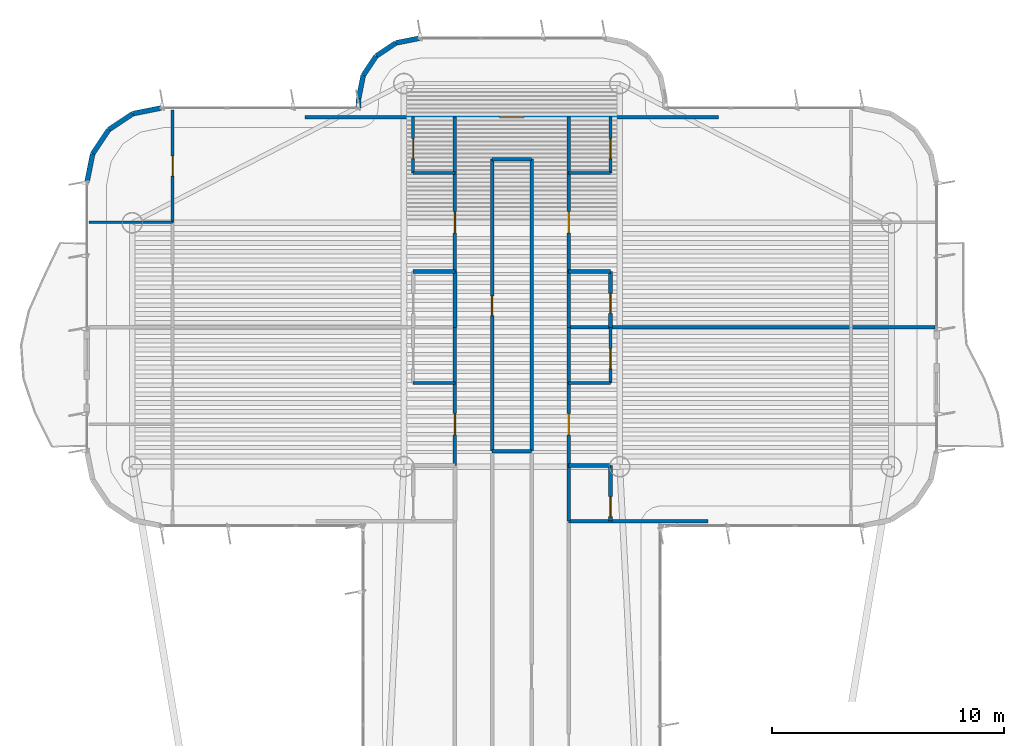
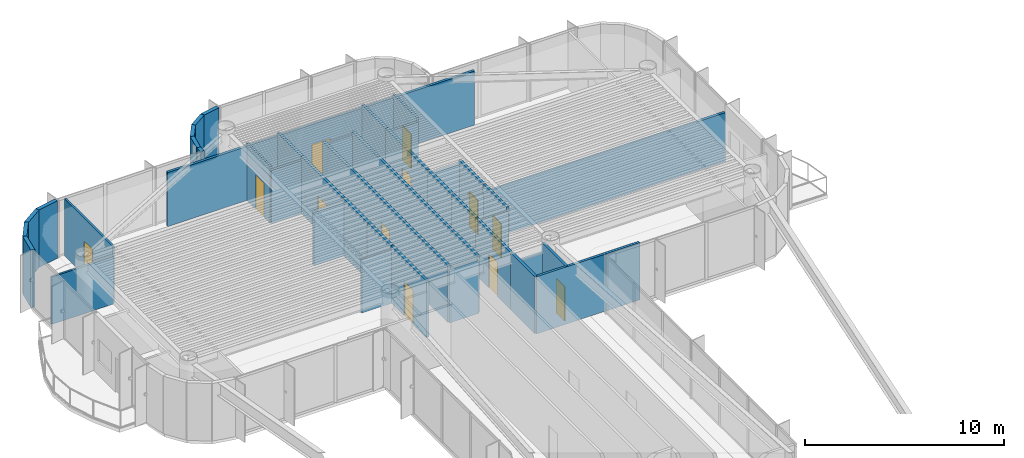
# One storey, part 12 of 16: 41 walls, 12 doors, 12 openings.
"""IFC4 building model written with IfcOpenShell, lengths in metres."""

from ifc_helpers import new_model, si_unit, direction, frame, frame_2d, origin, origin_2d, place, context, subcontext, project, spatial, rectangle, extrude, source, transform, mapped, material, layer, layer_set, type_object, element, fill, save


model = new_model("IFC4")

# Units and contexts
model_context = context("Model", 3, precision=1e-05, world=origin(), true_north=direction((0.0, 1.0)))
body_context = subcontext(model_context, "Body", "Model", "MODEL_VIEW")
ifc_project = project(units=[si_unit("LENGTHUNIT", "METRE"), si_unit("AREAUNIT", "SQUARE_METRE"), si_unit("VOLUMEUNIT", "CUBIC_METRE"), si_unit("PLANEANGLEUNIT", "RADIAN"), si_unit("MASSUNIT", "GRAM", prefix="KILO")], contexts=[model_context])

# Site, building, storey
site_placement = place(None, origin())
site = spatial("IfcSite", under=ifc_project, at=site_placement, CompositionType="ELEMENT")
building_placement = place(site_placement, origin())
building = spatial("IfcBuilding", under=site, at=building_placement, Name="Brelvock Crest Care Tower", CompositionType="ELEMENT")
storey_placement = place(building_placement, frame((0.0, 0.0, 226.800048828125)))
storey = spatial("IfcBuildingStorey", under=building, at=storey_placement, Name="L57", CompositionType="ELEMENT", Elevation=226.800048828125)

# Walls
ifc_material_1 = material(Name="Precast concrete N40 (40 MPa)", Category="concrete")
ifc_layer_1 = layer(ifc_material_1, 0.215087890625, Name="WL-EX2")
ifc_layer_set_1 = layer_set([ifc_layer_1], Name="Precast concrete N40 (40 MPa)")
wall_type_1 = type_object("IfcWallType", Name="WL-EX2", PredefinedType="SOLIDWALL", material=ifc_layer_set_1)
for number, where, z_axis, x_axis, name in (
    (1, (17.699951171875, 56.199951171875, 0.0), (0.0, 0.0, 1.0), (0.195138390419, 0.980775717779, 0.0), "L57 Rounded Corner Wall 18"),
    (2, (17.943603515625, 57.424560546875, 0.0), (0.0, 0.0, 1.0), (0.555557312883, 0.831478245117, 0.0), "L57 Rounded Corner Wall 19"),
    (3, (18.63720703125, 58.462646484375, 0.0), (0.0, 0.0, 1.0), (0.831387912822, 0.555692485475, 0.0), "L57 Rounded Corner Wall 20"),
    (4, (19.67529296875, 59.156494140625, 0.0), (0.0, 0.0, 1.0), (0.980813122964, 0.194950295773, 0.0), "L57 Rounded Corner Wall 21"),
):
    element("IfcWall", number, at=place(storey_placement, frame(where, z_axis=z_axis, x_axis=x_axis)), inside=storey, type_object=wall_type_1, Name=name, PredefinedType="SOLIDWALL", context=body_context, shape_type="SweptSolid", body=[
        extrude(rectangle(XDim=1.24853515625, YDim=0.215087890625, at=frame_2d((0.624267578125, 0.0))), origin(), (0.0, 0.0, 1.0), 3.530029296875),
    ])
wall_1_placement = place(storey_placement, frame((29.39990234375, 59.39990234375, 0.0), z_axis=(0.0, 0.0, 1.0), x_axis=(0.0, 1.0, 0.0)))
element("IfcWall", 5, at=wall_1_placement, inside=storey, type_object=wall_type_1, Name="L57 Rounded Corner Wall 23", PredefinedType="SOLIDWALL", context=body_context, shape_type="SweptSolid", body=[
    extrude(rectangle(XDim=0.400146484375, YDim=0.215087890625, at=frame_2d((0.2001953125, 0.0))), origin(), (0.0, 0.0, 1.0), 3.530029296875),
])
wall_2_placement = place(storey_placement, frame((29.39990234375, 59.800048828125, 0.0), z_axis=(0.0, 0.0, 1.0), x_axis=(0.195190360752, 0.980765376158, 0.0)))
element("IfcWall", 6, at=wall_2_placement, inside=storey, type_object=wall_type_1, Name="L57 Rounded Corner Wall 24", PredefinedType="SOLIDWALL", context=body_context, shape_type="SweptSolid", body=[
    extrude(rectangle(XDim=1.014404296875, YDim=0.215087890625, at=frame_2d((0.50732421875, 0.0))), origin(), (0.0, 0.0, 1.0), 3.530029296875),
])
wall_3_placement = place(storey_placement, frame((29.597900390625, 60.794921875, 0.0), z_axis=(0.0, 0.0, 1.0), x_axis=(0.555643898837, 0.831420385657, 0.0)))
element("IfcWall", 7, at=wall_3_placement, inside=storey, type_object=wall_type_1, Name="L57 Rounded Corner Wall 25", PredefinedType="SOLIDWALL", context=body_context, shape_type="SweptSolid", body=[
    extrude(rectangle(XDim=1.0146484375, YDim=0.215087890625, at=frame_2d((0.50732421875, 0.0))), origin(), (0.0, 0.0, 1.0), 3.530029296875),
])
wall_4_placement = place(storey_placement, frame((30.16162109375, 61.638427734375, 0.0), z_axis=(0.0, 0.0, 1.0), x_axis=(0.831346067305, 0.555755086685, 0.0)))
element("IfcWall", 8, at=wall_4_placement, inside=storey, type_object=wall_type_1, Name="L57 Rounded Corner Wall 26", PredefinedType="SOLIDWALL", context=body_context, shape_type="SweptSolid", body=[
    extrude(rectangle(XDim=1.014404296875, YDim=0.215087890625, at=frame_2d((0.50732421875, 0.0))), origin(), (0.0, 0.0, 1.0), 3.530029296875),
])
wall_5_placement = place(storey_placement, frame((31.0048828125, 62.2021484375, 0.0), z_axis=(0.0, 0.0, 1.0), x_axis=(0.980820570666, 0.194912821943, 0.0)))
element("IfcWall", 9, at=wall_5_placement, inside=storey, type_object=wall_type_1, Name="L57 Rounded Corner Wall 27", PredefinedType="SOLIDWALL", context=body_context, shape_type="SweptSolid", body=[
    extrude(rectangle(XDim=1.0146484375, YDim=0.215087890625, at=frame_2d((0.50732421875, 0.0))), origin(), (0.0, 0.0, 1.0), 3.530029296875),
])
ifc_material_2 = material(Name="Masonry Blockwork Acoustic Partition", Category="masonry")
ifc_layer_2 = layer(ifc_material_2, 0.14990234375, Name="WL-INT1")
ifc_layer_set_2 = layer_set([ifc_layer_2], Name="Masonry Blockwork Acoustic Partition")
wall_type_2 = type_object("IfcWallType", Name="WL-INT1", PredefinedType="PARTITIONING", material=ifc_layer_set_2)
wall_6_placement = place(storey_placement, frame((38.449951171875, 41.60009765625, 0.0), z_axis=(0.0, 0.0, 1.0), x_axis=(1.0, 0.0, 0.0)))
element("IfcWall", 10, at=wall_6_placement, inside=storey, type_object=wall_type_2, Name="L57 Interior Wall WL-BX-L57-FL-EF1-S", PredefinedType="PARTITIONING", context=body_context, shape_type="SweptSolid", body=[
    extrude(rectangle(XDim=5.993408203125, YDim=0.14990234375, at=frame_2d((2.99658203125, 0.0))), origin(), (0.0, 0.0, 1.0), 3.5),
])
wall_7_placement = place(storey_placement, frame((35.14990234375, 44.6201171875, 0.0), z_axis=(0.0, 0.0, 1.0), x_axis=(1.0, 0.0, 0.0)))
element("IfcWall", 11, at=wall_7_placement, inside=storey, type_object=wall_type_2, Name="L57 Interior Wall WL-BX-L57-ISKT-S", PredefinedType="PARTITIONING", context=body_context, shape_type="SweptSolid", body=[
    extrude(rectangle(XDim=1.7001953125, YDim=0.14990234375, at=frame_2d((0.85009765625, 0.0))), origin(), (0.0, 0.0, 1.0), 3.259033203125),
])
wall_8_placement = place(storey_placement, frame((38.449951171875, 49.951904296875, 0.0), z_axis=(0.0, 0.0, 1.0), x_axis=(1.0, 0.0, 0.0)))
element("IfcWall", 12, at=wall_8_placement, inside=storey, type_object=wall_type_2, Name="L57 Interior Wall WL-BX-L57-FL-EF1-N", PredefinedType="PARTITIONING", context=body_context, shape_type="SweptSolid", body=[
    extrude(rectangle(XDim=15.77001953125, YDim=0.14990234375, at=frame_2d((7.885009765625, 0.0))), origin(), (0.0, 0.0, 1.0), 2.98193359375),
])
wall_9_placement = place(storey_placement, frame((35.14990234375, 57.199951171875, 0.0), z_axis=(0.0, 0.0, 1.0), x_axis=(1.0, 0.0, 0.0)))
element("IfcWall", 13, at=wall_9_placement, inside=storey, type_object=wall_type_2, Name="L57 Interior Wall WL-BX-L57-ISKT-N", PredefinedType="PARTITIONING", context=body_context, shape_type="SweptSolid", body=[
    extrude(rectangle(XDim=1.7001953125, YDim=0.14990234375, at=frame_2d((0.85009765625, 0.0))), origin(), (0.0, 0.0, 1.0), 3.307861328125),
])

# Wall, opening, door
wall_10_placement = place(storey_placement, frame((27.10009765625, 59.0, 0.0), z_axis=(0.0, 0.0, 1.0), x_axis=(1.0, 0.0, 0.0)))
wall_10 = element("IfcWall", 14, at=wall_10_placement, inside=storey, type_object=wall_type_2, Name="L57 Interior Wall WL-RM-L57-NHUB", PredefinedType="PARTITIONING", context=body_context, shape_type="SweptSolid", body=[
    extrude(rectangle(XDim=17.7998046875, YDim=0.14990234375, at=frame_2d((8.89990234375, 0.0))), origin(), (0.0, 0.0, 1.0), 3.307861328125),
])
opening_1_placement = place(wall_10_placement, frame((8.375, 0.0, 0.0)))
opening_1 = element("IfcOpeningElement", 15, at=opening_1_placement, cuts=wall_10, Name="Opening CLD-1", PredefinedType="OPENING", context=body_context, shape_type="SweptSolid", body=[
    extrude(rectangle(XDim=1.050048828125, YDim=2.10009765625, at=origin_2d()), frame((0.52490234375, 0.0849609375, 1.050048828125), z_axis=(0.0, -1.0, 0.0), x_axis=(1.0, 0.0, 0.0)), (0.0, 0.0, 1.0), 0.169921875),
])
ifc_material_3 = material(Name="Engineered Hardwood Timber", Category="wood")
door_type_1 = type_object("IfcDoorType", Name="DR-CLN1", OperationType="NOTDEFINED", PredefinedType="DOOR", material=ifc_material_3)
shared_shape_1 = source(origin(), body_context, "Body", "SweptSolid", [
    extrude(rectangle(XDim=1.050048828125, YDim=2.10009765625, at=origin_2d()), frame((0.52490234375, 0.02490234375, 1.050048828125), z_axis=(0.0, -1.0, 0.0), x_axis=(1.0, 0.0, 0.0)), (0.0, 0.0, 1.0), 0.050048828125),
])
door_1_placement = place(opening_1_placement, origin())
door_1 = element("IfcDoor", 16, at=door_1_placement, inside=storey, type_object=door_type_1, Name="L57 North Crest Conservatory Lounge Door NHUB", OperationType="SINGLE_SWING_LEFT", OverallHeight=2.10009765625, OverallWidth=1.050048828125, PredefinedType="DOOR", context=body_context, shape_type="MappedRepresentation", body=[
    mapped(shared_shape_1, transform((0.0, 0.0, 0.0), x_axis=(1.0, 0.0, 0.0), y_axis=(0.0, 1.0, 0.0), z_axis=(0.0, 0.0, 1.0), scale=1.0)),
])
fill(opening_1, door_1)

wall_11_placement = place(storey_placement, frame((33.550048828125, 44.0, 0.0), z_axis=(0.0, 0.0, 1.0), x_axis=(0.0, 1.0, 0.0)))
wall_11 = element("IfcWall", 17, at=wall_11_placement, inside=storey, type_object=wall_type_2, Name="L57 Interior Wall WL-UENT-L57-WF1", PredefinedType="PARTITIONING", context=body_context, shape_type="SweptSolid", body=[
    extrude(rectangle(XDim=3.552001953125, YDim=0.14990234375, at=frame_2d((1.77587890625, 0.0))), origin(), (0.0, 0.0, 1.0), 3.5),
])
opening_2_placement = place(wall_11_placement, frame((1.31591796875, 0.0, 0.0)))
opening_2 = element("IfcOpeningElement", 18, at=opening_2_placement, cuts=wall_11, Name="Opening AD-1", PredefinedType="OPENING", context=body_context, shape_type="SweptSolid", body=[
    extrude(rectangle(XDim=0.919921875, YDim=2.10009765625, at=origin_2d()), frame((0.4599609375, 0.0849609375, 1.050048828125), z_axis=(0.0, -1.0, 0.0), x_axis=(1.0, 0.0, 0.0)), (0.0, 0.0, 1.0), 0.169921875),
])
door_type_2 = type_object("IfcDoorType", Name="DR-APT1", OperationType="NOTDEFINED", PredefinedType="DOOR", material=ifc_material_3)
shared_shape_2 = source(origin(), body_context, "Body", "SweptSolid", [
    extrude(rectangle(XDim=0.919921875, YDim=2.10009765625, at=origin_2d()), frame((0.4599609375, 0.02490234375, 1.050048828125), z_axis=(0.0, -1.0, 0.0), x_axis=(1.0, 0.0, 0.0)), (0.0, 0.0, 1.0), 0.050048828125),
])
door_2_placement = place(opening_2_placement, origin())
door_2 = element("IfcDoor", 19, at=door_2_placement, inside=storey, type_object=door_type_2, Name="L57 Apartment Entrance WF1", OperationType="SINGLE_SWING_LEFT", OverallHeight=2.10009765625, OverallWidth=0.919921875, PredefinedType="DOOR", context=body_context, shape_type="MappedRepresentation", body=[
    mapped(shared_shape_2, transform((0.0, 0.0, 0.0), x_axis=(1.0, 0.0, 0.0), y_axis=(0.0, 1.0, 0.0), z_axis=(0.0, 0.0, 1.0), scale=1.0)),
])
fill(opening_2, door_2)

# Wall
wall_12_placement = place(storey_placement, frame((33.550048828125, 47.552001953125, 0.0), z_axis=(0.0, 0.0, 1.0), x_axis=(0.0, 1.0, 0.0)))
element("IfcWall", 20, at=wall_12_placement, inside=storey, type_object=wall_type_2, Name="L57 Interior Wall WL-UCK-L57-WF1", PredefinedType="PARTITIONING", context=body_context, shape_type="SweptSolid", body=[
    extrude(rectangle(XDim=2.39990234375, YDim=0.14990234375, at=frame_2d((1.199951171875, 0.0))), origin(), (0.0, 0.0, 1.0), 3.5),
])

# Wall, opening, door
wall_13_placement = place(storey_placement, frame((33.550048828125, 52.35205078125, 0.0), z_axis=(0.0, 0.0, 1.0), x_axis=(0.0, 1.0, 0.0)))
wall_13 = element("IfcWall", 21, at=wall_13_placement, inside=storey, type_object=wall_type_2, Name="L57 Interior Wall WL-UENT-L57-WF2", PredefinedType="PARTITIONING", context=body_context, shape_type="SweptSolid", body=[
    extrude(rectangle(XDim=4.248046875, YDim=0.14990234375, at=frame_2d((2.1240234375, 0.0))), origin(), (0.0, 0.0, 1.0), 3.5),
])
opening_3_placement = place(wall_13_placement, frame((1.6640625, 0.0, 0.0)))
opening_3 = element("IfcOpeningElement", 22, at=opening_3_placement, cuts=wall_13, Name="Opening AD-1", PredefinedType="OPENING", context=body_context, shape_type="SweptSolid", body=[
    extrude(rectangle(XDim=0.919921875, YDim=2.10009765625, at=origin_2d()), frame((0.4599609375, 0.0849609375, 1.050048828125), z_axis=(0.0, -1.0, 0.0), x_axis=(1.0, 0.0, 0.0)), (0.0, 0.0, 1.0), 0.169921875),
])
door_3_placement = place(opening_3_placement, origin())
door_3 = element("IfcDoor", 23, at=door_3_placement, inside=storey, type_object=door_type_2, Name="L57 Apartment Entrance WF2", OperationType="SINGLE_SWING_LEFT", OverallHeight=2.10009765625, OverallWidth=0.919921875, PredefinedType="DOOR", context=body_context, shape_type="MappedRepresentation", body=[
    mapped(shared_shape_2, transform((0.0, 0.0, 0.0), x_axis=(1.0, 0.0, 0.0), y_axis=(0.0, 1.0, 0.0), z_axis=(0.0, 0.0, 1.0), scale=1.0)),
])
fill(opening_3, door_3)

# Wall
wall_14_placement = place(storey_placement, frame((33.550048828125, 56.60009765625, 0.0), z_axis=(0.0, 0.0, 1.0), x_axis=(0.0, 1.0, 0.0)))
element("IfcWall", 24, at=wall_14_placement, inside=storey, type_object=wall_type_2, Name="L57 Interior Wall WL-UCK-L57-WF2", PredefinedType="PARTITIONING", context=body_context, shape_type="SweptSolid", body=[
    extrude(rectangle(XDim=2.39990234375, YDim=0.14990234375, at=frame_2d((1.199951171875, 0.0))), origin(), (0.0, 0.0, 1.0), 3.5),
])

# Wall, opening, door
wall_15_placement = place(storey_placement, frame((35.14990234375, 44.6201171875, 0.0), z_axis=(0.0, 0.0, 1.0), x_axis=(0.0, 1.0, 0.0)))
wall_15 = element("IfcWall", 25, at=wall_15_placement, inside=storey, type_object=wall_type_2, Name="L57 Interior Wall WL-RM-L57-ISKT", PredefinedType="PARTITIONING", context=body_context, shape_type="SweptSolid", body=[
    extrude(rectangle(XDim=12.579833984375, YDim=0.14990234375, at=frame_2d((6.2900390625, 0.0))), origin(), (0.0, 0.0, 1.0), 3.5),
])
opening_4_placement = place(wall_15_placement, frame((5.830078125, 0.0, 0.0)))
opening_4 = element("IfcOpeningElement", 26, at=opening_4_placement, cuts=wall_15, Name="Opening ID-1", PredefinedType="OPENING", context=body_context, shape_type="SweptSolid", body=[
    extrude(rectangle(XDim=0.860107421875, YDim=2.10009765625, at=origin_2d()), frame((0.43017578125, 0.0849609375, 1.050048828125), z_axis=(0.0, -1.0, 0.0), x_axis=(1.0, 0.0, 0.0)), (0.0, 0.0, 1.0), 0.169921875),
])
door_type_3 = type_object("IfcDoorType", Name="DR-INT1", OperationType="NOTDEFINED", PredefinedType="DOOR", material=ifc_material_3)
shared_shape_3 = source(origin(), body_context, "Body", "SweptSolid", [
    extrude(rectangle(XDim=0.860107421875, YDim=2.10009765625, at=origin_2d()), frame((0.43017578125, 0.02490234375, 1.050048828125), z_axis=(0.0, -1.0, 0.0), x_axis=(1.0, 0.0, 0.0)), (0.0, 0.0, 1.0), 0.050048828125),
])
door_4_placement = place(opening_4_placement, origin())
door_4 = element("IfcDoor", 27, at=door_4_placement, inside=storey, type_object=door_type_3, Name="L57 Communal Tea and Nutrition Pantry Door ISKT", OperationType="SINGLE_SWING_LEFT", OverallHeight=2.10009765625, OverallWidth=0.860107421875, PredefinedType="DOOR", context=body_context, shape_type="MappedRepresentation", body=[
    mapped(shared_shape_3, transform((0.0, 0.0, 0.0), x_axis=(1.0, 0.0, 0.0), y_axis=(0.0, 1.0, 0.0), z_axis=(0.0, 0.0, 1.0), scale=1.0)),
])
fill(opening_4, door_4)

# Wall
wall_16_placement = place(storey_placement, frame((36.85009765625, 44.6201171875, 0.0), z_axis=(0.0, 0.0, 1.0), x_axis=(0.0, 1.0, 0.0)))
element("IfcWall", 28, at=wall_16_placement, inside=storey, type_object=wall_type_2, Name="L57 Interior Wall WL-BX-L57-ISKT-E", PredefinedType="PARTITIONING", context=body_context, shape_type="SweptSolid", body=[
    extrude(rectangle(XDim=12.579833984375, YDim=0.14990234375, at=frame_2d((6.2900390625, 0.0))), origin(), (0.0, 0.0, 1.0), 3.5),
])

# Wall, opening, door
wall_17_placement = place(storey_placement, frame((38.449951171875, 44.0, 0.0), z_axis=(0.0, 0.0, 1.0), x_axis=(0.0, 1.0, 0.0)))
wall_17 = element("IfcWall", 29, at=wall_17_placement, inside=storey, type_object=wall_type_2, Name="L57 Interior Wall WL-UENT-L57-EF1", PredefinedType="PARTITIONING", context=body_context, shape_type="SweptSolid", body=[
    extrude(rectangle(XDim=3.552001953125, YDim=0.14990234375, at=frame_2d((1.77587890625, 0.0))), origin(), (0.0, 0.0, 1.0), 3.5),
])
opening_5_placement = place(wall_17_placement, frame((1.31591796875, 0.0, 0.0)))
opening_5 = element("IfcOpeningElement", 30, at=opening_5_placement, cuts=wall_17, Name="Opening AD-1", PredefinedType="OPENING", context=body_context, shape_type="SweptSolid", body=[
    extrude(rectangle(XDim=0.919921875, YDim=2.10009765625, at=origin_2d()), frame((0.4599609375, 0.0849609375, 1.050048828125), z_axis=(0.0, -1.0, 0.0), x_axis=(1.0, 0.0, 0.0)), (0.0, 0.0, 1.0), 0.169921875),
])
door_5_placement = place(opening_5_placement, origin())
door_5 = element("IfcDoor", 31, at=door_5_placement, inside=storey, type_object=door_type_2, Name="L57 Apartment Entrance EF1", OperationType="SINGLE_SWING_LEFT", OverallHeight=2.10009765625, OverallWidth=0.919921875, PredefinedType="DOOR", context=body_context, shape_type="MappedRepresentation", body=[
    mapped(shared_shape_2, transform((0.0, 0.0, 0.0), x_axis=(1.0, 0.0, 0.0), y_axis=(0.0, 1.0, 0.0), z_axis=(0.0, 0.0, 1.0), scale=1.0)),
])
fill(opening_5, door_5)

# Wall
wall_18_placement = place(storey_placement, frame((38.449951171875, 47.552001953125, 0.0), z_axis=(0.0, 0.0, 1.0), x_axis=(0.0, 1.0, 0.0)))
element("IfcWall", 32, at=wall_18_placement, inside=storey, type_object=wall_type_2, Name="L57 Interior Wall WL-UCK-L57-EF1", PredefinedType="PARTITIONING", context=body_context, shape_type="SweptSolid", body=[
    extrude(rectangle(XDim=2.39990234375, YDim=0.14990234375, at=frame_2d((1.199951171875, 0.0))), origin(), (0.0, 0.0, 1.0), 3.5),
])

# Wall, opening, door
wall_19_placement = place(storey_placement, frame((38.449951171875, 52.35205078125, 0.0), z_axis=(0.0, 0.0, 1.0), x_axis=(0.0, 1.0, 0.0)))
wall_19 = element("IfcWall", 33, at=wall_19_placement, inside=storey, type_object=wall_type_2, Name="L57 Interior Wall WL-UENT-L57-EF2", PredefinedType="PARTITIONING", context=body_context, shape_type="SweptSolid", body=[
    extrude(rectangle(XDim=4.248046875, YDim=0.14990234375, at=frame_2d((2.1240234375, 0.0))), origin(), (0.0, 0.0, 1.0), 3.5),
])
opening_6_placement = place(wall_19_placement, frame((1.6640625, 0.0, 0.0)))
opening_6 = element("IfcOpeningElement", 34, at=opening_6_placement, cuts=wall_19, Name="Opening AD-1", PredefinedType="OPENING", context=body_context, shape_type="SweptSolid", body=[
    extrude(rectangle(XDim=0.919921875, YDim=2.10009765625, at=origin_2d()), frame((0.4599609375, 0.0849609375, 1.050048828125), z_axis=(0.0, -1.0, 0.0), x_axis=(1.0, 0.0, 0.0)), (0.0, 0.0, 1.0), 0.169921875),
])
door_6_placement = place(opening_6_placement, origin())
door_6 = element("IfcDoor", 35, at=door_6_placement, inside=storey, type_object=door_type_2, Name="L57 Apartment Entrance EF2", OperationType="SINGLE_SWING_LEFT", OverallHeight=2.10009765625, OverallWidth=0.919921875, PredefinedType="DOOR", context=body_context, shape_type="MappedRepresentation", body=[
    mapped(shared_shape_2, transform((0.0, 0.0, 0.0), x_axis=(1.0, 0.0, 0.0), y_axis=(0.0, 1.0, 0.0), z_axis=(0.0, 0.0, 1.0), scale=1.0)),
])
fill(opening_6, door_6)

# Walls
wall_20_placement = place(storey_placement, frame((38.449951171875, 56.60009765625, 0.0), z_axis=(0.0, 0.0, 1.0), x_axis=(0.0, 1.0, 0.0)))
element("IfcWall", 36, at=wall_20_placement, inside=storey, type_object=wall_type_2, Name="L57 Interior Wall WL-UCK-L57-EF2", PredefinedType="PARTITIONING", context=body_context, shape_type="SweptSolid", body=[
    extrude(rectangle(XDim=2.39990234375, YDim=0.14990234375, at=frame_2d((1.199951171875, 0.0))), origin(), (0.0, 0.0, 1.0), 3.5),
])
ifc_material_4 = material(Name="Gypsum Plasterboard Partition", Category="gypsum")
ifc_layer_3 = layer(ifc_material_4, 0.1201171875, Name="WL-INT2")
ifc_layer_set_3 = layer_set([ifc_layer_3], Name="Gypsum Plasterboard Partition")
wall_type_3 = type_object("IfcWallType", Name="WL-INT2", PredefinedType="PARTITIONING", material=ifc_layer_set_3)
for number, where, z_axis, x_axis, name in (
    (37, (31.75, 47.552001953125, 0.0), (0.0, 0.0, 1.0), (1.0, 0.0, 0.0), "L57 Interior Wall WL-UKIT2-L57-WF1"),
    (38, (38.449951171875, 47.552001953125, 0.0), (0.0, 0.0, 1.0), (1.0, 0.0, 0.0), "L57 Interior Wall WL-UKIT2-L57-EF1"),
):
    element("IfcWall", number, at=place(storey_placement, frame(where, z_axis=z_axis, x_axis=x_axis)), inside=storey, type_object=wall_type_3, Name=name, PredefinedType="PARTITIONING", context=body_context, shape_type="SweptSolid", body=[
        extrude(rectangle(XDim=1.800048828125, YDim=0.1201171875, at=frame_2d((0.89990234375, 0.0))), origin(), (0.0, 0.0, 1.0), 3.259033203125),
    ])
wall_21_placement = place(storey_placement, frame((17.780029296875, 54.47607421875, 0.0), z_axis=(0.0, 0.0, 1.0), x_axis=(1.0, 0.0, 0.0)))
element("IfcWall", 39, at=wall_21_placement, inside=storey, type_object=wall_type_3, Name="L57 Interior Wall WL-UBSP-L57-WF2", PredefinedType="PARTITIONING", context=body_context, shape_type="SweptSolid", body=[
    extrude(rectangle(XDim=3.60986328125, YDim=0.1201171875, at=frame_2d((1.804931640625, 0.0))), origin(), (0.0, 0.0, 1.0), 2.90283203125),
])
for number, where, z_axis, x_axis, name in (
    (40, (31.75, 56.60009765625, 0.0), (0.0, 0.0, 1.0), (1.0, 0.0, 0.0), "L57 Interior Wall WL-UKIT2-L57-WF2"),
    (41, (38.449951171875, 56.60009765625, 0.0), (0.0, 0.0, 1.0), (1.0, 0.0, 0.0), "L57 Interior Wall WL-UKIT2-L57-EF2"),
):
    element("IfcWall", number, at=place(storey_placement, frame(where, z_axis=z_axis, x_axis=x_axis)), inside=storey, type_object=wall_type_3, Name=name, PredefinedType="PARTITIONING", context=body_context, shape_type="SweptSolid", body=[
        extrude(rectangle(XDim=1.800048828125, YDim=0.1201171875, at=frame_2d((0.89990234375, 0.0))), origin(), (0.0, 0.0, 1.0), 3.259033203125),
    ])

# Wall, opening, door
wall_22_placement = place(storey_placement, frame((21.389892578125, 54.47607421875, 0.0), z_axis=(0.0, 0.0, 1.0), x_axis=(0.0, 1.0, 0.0)))
wall_22 = element("IfcWall", 42, at=wall_22_placement, inside=storey, type_object=wall_type_3, Name="L57 Interior Wall WL-UBD2-L57-WF2", PredefinedType="PARTITIONING", context=body_context, shape_type="SweptSolid", body=[
    extrude(rectangle(XDim=4.84423828125, YDim=0.1201171875, at=frame_2d((2.422119140625, 0.0))), origin(), (0.0, 0.0, 1.0), 3.5),
])
opening_7_placement = place(wall_22_placement, frame((1.991943359375, 0.0, 0.0)))
opening_7 = element("IfcOpeningElement", 43, at=opening_7_placement, cuts=wall_22, Name="Opening ID-1", PredefinedType="OPENING", context=body_context, shape_type="SweptSolid", body=[
    extrude(rectangle(XDim=0.860107421875, YDim=2.10009765625, at=origin_2d()), frame((0.43017578125, 0.070068359375, 1.050048828125), z_axis=(0.0, -1.0, 0.0), x_axis=(1.0, 0.0, 0.0)), (0.0, 0.0, 1.0), 0.14013671875),
])
door_7_placement = place(opening_7_placement, origin())
door_7 = element("IfcDoor", 44, at=door_7_placement, inside=storey, type_object=door_type_3, Name="L57 Second Room Door WF2", OperationType="SINGLE_SWING_LEFT", OverallHeight=2.10009765625, OverallWidth=0.860107421875, PredefinedType="DOOR", context=body_context, shape_type="MappedRepresentation", body=[
    mapped(shared_shape_3, transform((0.0, 0.0, 0.0), x_axis=(1.0, 0.0, 0.0), y_axis=(0.0, 1.0, 0.0), z_axis=(0.0, 0.0, 1.0), scale=1.0)),
])
fill(opening_7, door_7)

wall_23_placement = place(storey_placement, frame((31.75, 56.60009765625, 0.0), z_axis=(0.0, 0.0, 1.0), x_axis=(0.0, 1.0, 0.0)))
wall_23 = element("IfcWall", 45, at=wall_23_placement, inside=storey, type_object=wall_type_3, Name="L57 Interior Wall WL-UKIT1-L57-WF2", PredefinedType="PARTITIONING", context=body_context, shape_type="SweptSolid", body=[
    extrude(rectangle(XDim=2.39990234375, YDim=0.1201171875, at=frame_2d((1.199951171875, 0.0))), origin(), (0.0, 0.0, 1.0), 3.5),
])
opening_8_placement = place(wall_23_placement, frame((0.6201171875, 0.0, 0.0)))
opening_8 = element("IfcOpeningElement", 46, at=opening_8_placement, cuts=wall_23, Name="Opening ID-1", PredefinedType="OPENING", context=body_context, shape_type="SweptSolid", body=[
    extrude(rectangle(XDim=0.860107421875, YDim=2.10009765625, at=origin_2d()), frame((0.43017578125, 0.070068359375, 1.050048828125), z_axis=(0.0, -1.0, 0.0), x_axis=(1.0, 0.0, 0.0)), (0.0, 0.0, 1.0), 0.14013671875),
])
door_8_placement = place(opening_8_placement, origin())
door_8 = element("IfcDoor", 47, at=door_8_placement, inside=storey, type_object=door_type_3, Name="L57 Kitchen Door WF2", OperationType="SINGLE_SWING_LEFT", OverallHeight=2.10009765625, OverallWidth=0.860107421875, PredefinedType="DOOR", context=body_context, shape_type="MappedRepresentation", body=[
    mapped(shared_shape_3, transform((0.0, 0.0, 0.0), x_axis=(1.0, 0.0, 0.0), y_axis=(0.0, 1.0, 0.0), z_axis=(0.0, 0.0, 1.0), scale=1.0)),
])
fill(opening_8, door_8)

wall_24_placement = place(storey_placement, frame((40.25, 47.552001953125, 0.0), z_axis=(0.0, 0.0, 1.0), x_axis=(0.0, 1.0, 0.0)))
wall_24 = element("IfcWall", 48, at=wall_24_placement, inside=storey, type_object=wall_type_3, Name="L57 Interior Wall WL-UKIT1-L57-EF1", PredefinedType="PARTITIONING", context=body_context, shape_type="SweptSolid", body=[
    extrude(rectangle(XDim=2.39990234375, YDim=0.1201171875, at=frame_2d((1.199951171875, 0.0))), origin(), (0.0, 0.0, 1.0), 3.5),
])
opening_9_placement = place(wall_24_placement, frame((0.6201171875, 0.0, 0.0)))
opening_9 = element("IfcOpeningElement", 49, at=opening_9_placement, cuts=wall_24, Name="Opening ID-1", PredefinedType="OPENING", context=body_context, shape_type="SweptSolid", body=[
    extrude(rectangle(XDim=0.860107421875, YDim=2.10009765625, at=origin_2d()), frame((0.43017578125, 0.070068359375, 1.050048828125), z_axis=(0.0, -1.0, 0.0), x_axis=(1.0, 0.0, 0.0)), (0.0, 0.0, 1.0), 0.14013671875),
])
door_9_placement = place(opening_9_placement, origin())
door_9 = element("IfcDoor", 50, at=door_9_placement, inside=storey, type_object=door_type_3, Name="L57 Kitchen Door EF1", OperationType="SINGLE_SWING_RIGHT", OverallHeight=2.10009765625, OverallWidth=0.860107421875, PredefinedType="DOOR", context=body_context, shape_type="MappedRepresentation", body=[
    mapped(shared_shape_3, transform((0.0, 0.0, 0.0), x_axis=(1.0, 0.0, 0.0), y_axis=(0.0, 1.0, 0.0), z_axis=(0.0, 0.0, 1.0), scale=1.0)),
])
fill(opening_9, door_9)

wall_25_placement = place(storey_placement, frame((40.25, 56.60009765625, 0.0), z_axis=(0.0, 0.0, 1.0), x_axis=(0.0, 1.0, 0.0)))
wall_25 = element("IfcWall", 51, at=wall_25_placement, inside=storey, type_object=wall_type_3, Name="L57 Interior Wall WL-UKIT1-L57-EF2", PredefinedType="PARTITIONING", context=body_context, shape_type="SweptSolid", body=[
    extrude(rectangle(XDim=2.39990234375, YDim=0.1201171875, at=frame_2d((1.199951171875, 0.0))), origin(), (0.0, 0.0, 1.0), 3.5),
])
opening_10_placement = place(wall_25_placement, frame((0.6201171875, 0.0, 0.0)))
opening_10 = element("IfcOpeningElement", 52, at=opening_10_placement, cuts=wall_25, Name="Opening ID-1", PredefinedType="OPENING", context=body_context, shape_type="SweptSolid", body=[
    extrude(rectangle(XDim=0.860107421875, YDim=2.10009765625, at=origin_2d()), frame((0.43017578125, 0.070068359375, 1.050048828125), z_axis=(0.0, -1.0, 0.0), x_axis=(1.0, 0.0, 0.0)), (0.0, 0.0, 1.0), 0.14013671875),
])
door_10_placement = place(opening_10_placement, origin())
door_10 = element("IfcDoor", 53, at=door_10_placement, inside=storey, type_object=door_type_3, Name="L57 Kitchen Door EF2", OperationType="SINGLE_SWING_RIGHT", OverallHeight=2.10009765625, OverallWidth=0.860107421875, PredefinedType="DOOR", context=body_context, shape_type="MappedRepresentation", body=[
    mapped(shared_shape_3, transform((0.0, 0.0, 0.0), x_axis=(1.0, 0.0, 0.0), y_axis=(0.0, 1.0, 0.0), z_axis=(0.0, 0.0, 1.0), scale=1.0)),
])
fill(opening_10, door_10)

# Walls
ifc_layer_4 = layer(ifc_material_4, 0.159912109375, Name="WL-PLM1")
ifc_layer_set_4 = layer_set([ifc_layer_4], Name="Gypsum Plasterboard Partition")
wall_type_4 = type_object("IfcWallType", Name="WL-PLM1", PredefinedType="PLUMBINGWALL", material=ifc_layer_set_4)
wall_26_placement = place(storey_placement, frame((38.449951171875, 44.0, 0.0), z_axis=(0.0, 0.0, 1.0), x_axis=(1.0, 0.0, 0.0)))
element("IfcWall", 54, at=wall_26_placement, inside=storey, type_object=wall_type_4, Name="L57 Interior Wall WL-UBTH2-L57-EF1", PredefinedType="PLUMBINGWALL", context=body_context, shape_type="SweptSolid", body=[
    extrude(rectangle(XDim=1.800048828125, YDim=0.159912109375, at=frame_2d((0.89990234375, 0.0))), origin(), (0.0, 0.0, 1.0), 2.90283203125),
])
for number, where, z_axis, x_axis, name in (
    (55, (31.75, 52.35205078125, 0.0), (0.0, 0.0, 1.0), (1.0, 0.0, 0.0), "L57 Interior Wall WL-UBTH2-L57-WF2"),
    (56, (38.449951171875, 52.35205078125, 0.0), (0.0, 0.0, 1.0), (1.0, 0.0, 0.0), "L57 Interior Wall WL-UBTH2-L57-EF2"),
):
    element("IfcWall", number, at=place(storey_placement, frame(where, z_axis=z_axis, x_axis=x_axis)), inside=storey, type_object=wall_type_4, Name=name, PredefinedType="PLUMBINGWALL", context=body_context, shape_type="SweptSolid", body=[
        extrude(rectangle(XDim=1.800048828125, YDim=0.159912109375, at=frame_2d((0.89990234375, 0.0))), origin(), (0.0, 0.0, 1.0), 3.259033203125),
    ])
wall_27_placement = place(storey_placement, frame((33.550048828125, 49.951904296875, 0.0), z_axis=(0.0, 0.0, 1.0), x_axis=(0.0, 1.0, 0.0)))
element("IfcWall", 57, at=wall_27_placement, inside=storey, type_object=wall_type_4, Name="L57 Interior Wall WL-UCB-L57-WF2", PredefinedType="PLUMBINGWALL", context=body_context, shape_type="SweptSolid", body=[
    extrude(rectangle(XDim=2.400146484375, YDim=0.159912109375, at=frame_2d((1.2001953125, 0.0))), origin(), (0.0, 0.0, 1.0), 3.5),
])
wall_28_placement = place(storey_placement, frame((38.449951171875, 41.60009765625, 0.0), z_axis=(0.0, 0.0, 1.0), x_axis=(0.0, 1.0, 0.0)))
element("IfcWall", 58, at=wall_28_placement, inside=storey, type_object=wall_type_4, Name="L57 Interior Wall WL-UCB-L57-EF1", PredefinedType="PLUMBINGWALL", context=body_context, shape_type="SweptSolid", body=[
    extrude(rectangle(XDim=2.39990234375, YDim=0.159912109375, at=frame_2d((1.199951171875, 0.0))), origin(), (0.0, 0.0, 1.0), 3.5),
])
wall_29_placement = place(storey_placement, frame((38.449951171875, 49.951904296875, 0.0), z_axis=(0.0, 0.0, 1.0), x_axis=(0.0, 1.0, 0.0)))
element("IfcWall", 59, at=wall_29_placement, inside=storey, type_object=wall_type_4, Name="L57 Interior Wall WL-UCB-L57-EF2", PredefinedType="PLUMBINGWALL", context=body_context, shape_type="SweptSolid", body=[
    extrude(rectangle(XDim=2.400146484375, YDim=0.159912109375, at=frame_2d((1.2001953125, 0.0))), origin(), (0.0, 0.0, 1.0), 3.5),
])

# Wall, opening, door
wall_30_placement = place(storey_placement, frame((40.25, 41.60009765625, 0.0), z_axis=(0.0, 0.0, 1.0), x_axis=(0.0, 1.0, 0.0)))
wall_30 = element("IfcWall", 60, at=wall_30_placement, inside=storey, type_object=wall_type_4, Name="L57 Interior Wall WL-UBTH1-L57-EF1", PredefinedType="PLUMBINGWALL", context=body_context, shape_type="SweptSolid", body=[
    extrude(rectangle(XDim=2.39990234375, YDim=0.159912109375, at=frame_2d((1.199951171875, 0.0))), origin(), (0.0, 0.0, 1.0), 3.5),
])
opening_11_placement = place(wall_30_placement, frame((0.199951171875, 0.0, 0.0)))
opening_11 = element("IfcOpeningElement", 61, at=opening_11_placement, cuts=wall_30, Name="Opening WD-1", PredefinedType="OPENING", context=body_context, shape_type="SweptSolid", body=[
    extrude(rectangle(XDim=0.860107421875, YDim=2.10009765625, at=origin_2d()), frame((0.43017578125, 0.08984375, 1.050048828125), z_axis=(0.0, -1.0, 0.0), x_axis=(1.0, 0.0, 0.0)), (0.0, 0.0, 1.0), 0.179931640625),
])
door_type_4 = type_object("IfcDoorType", Name="DR-WC1", OperationType="NOTDEFINED", PredefinedType="DOOR", material=ifc_material_3)
shared_shape_4 = source(origin(), body_context, "Body", "SweptSolid", [
    extrude(rectangle(XDim=0.860107421875, YDim=2.10009765625, at=origin_2d()), frame((0.43017578125, 0.02490234375, 1.050048828125), z_axis=(0.0, -1.0, 0.0), x_axis=(1.0, 0.0, 0.0)), (0.0, 0.0, 1.0), 0.050048828125),
])
door_11_placement = place(opening_11_placement, origin())
door_11 = element("IfcDoor", 62, at=door_11_placement, inside=storey, type_object=door_type_4, Name="L57 Bathroom Door EF1", OperationType="SINGLE_SWING_LEFT", OverallHeight=2.10009765625, OverallWidth=0.860107421875, PredefinedType="DOOR", context=body_context, shape_type="MappedRepresentation", body=[
    mapped(shared_shape_4, transform((0.0, 0.0, 0.0), x_axis=(1.0, 0.0, 0.0), y_axis=(0.0, 1.0, 0.0), z_axis=(0.0, 0.0, 1.0), scale=1.0)),
])
fill(opening_11, door_11)

wall_31_placement = place(storey_placement, frame((40.25, 49.951904296875, 0.0), z_axis=(0.0, 0.0, 1.0), x_axis=(0.0, 1.0, 0.0)))
wall_31 = element("IfcWall", 63, at=wall_31_placement, inside=storey, type_object=wall_type_4, Name="L57 Interior Wall WL-UBTH1-L57-EF2", PredefinedType="PLUMBINGWALL", context=body_context, shape_type="SweptSolid", body=[
    extrude(rectangle(XDim=2.400146484375, YDim=0.159912109375, at=frame_2d((1.2001953125, 0.0))), origin(), (0.0, 0.0, 1.0), 3.5),
])
opening_12_placement = place(wall_31_placement, frame((0.60009765625, 0.0, 0.0)))
opening_12 = element("IfcOpeningElement", 64, at=opening_12_placement, cuts=wall_31, Name="Opening WD-1", PredefinedType="OPENING", context=body_context, shape_type="SweptSolid", body=[
    extrude(rectangle(XDim=0.860107421875, YDim=2.10009765625, at=origin_2d()), frame((0.43017578125, 0.08984375, 1.050048828125), z_axis=(0.0, -1.0, 0.0), x_axis=(1.0, 0.0, 0.0)), (0.0, 0.0, 1.0), 0.179931640625),
])
door_12_placement = place(opening_12_placement, origin())
door_12 = element("IfcDoor", 65, at=door_12_placement, inside=storey, type_object=door_type_4, Name="L57 Bathroom Door EF2", OperationType="SINGLE_SWING_LEFT", OverallHeight=2.10009765625, OverallWidth=0.860107421875, PredefinedType="DOOR", context=body_context, shape_type="MappedRepresentation", body=[
    mapped(shared_shape_4, transform((0.0, 0.0, 0.0), x_axis=(1.0, 0.0, 0.0), y_axis=(0.0, 1.0, 0.0), z_axis=(0.0, 0.0, 1.0), scale=1.0)),
])
fill(opening_12, door_12)

save(model, "model.ifc")
